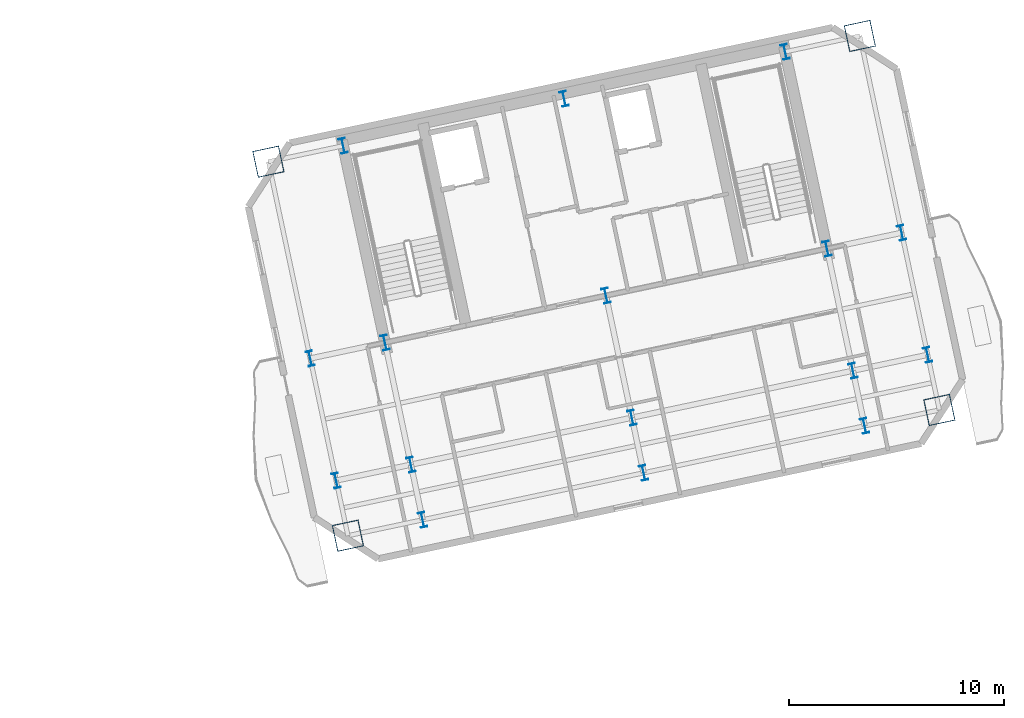
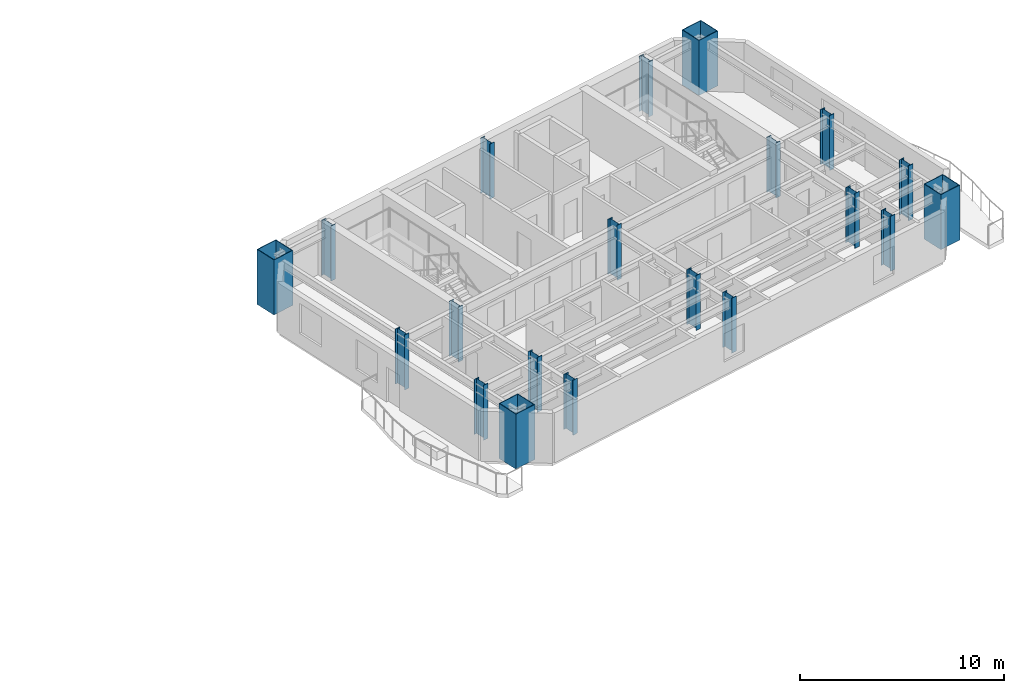
# One storey, part 2 of 13: 20 columns.
"""IFC4 building model written with IfcOpenShell, lengths in metres."""

from ifc_helpers import new_model, si_unit, direction, frame, origin, origin_2d, place, context, subcontext, project, spatial, hollow_rectangle, i_section, extrude, material, material_profile, profile_set, type_object, element, save


model = new_model("IFC4")

# Units and contexts
model_context = context("Model", 3, precision=1e-05, world=origin(), true_north=direction((0.0, 1.0)))
body_context = subcontext(model_context, "Body", "Model", "MODEL_VIEW")
ifc_project = project(units=[si_unit("LENGTHUNIT", "METRE"), si_unit("AREAUNIT", "SQUARE_METRE"), si_unit("VOLUMEUNIT", "CUBIC_METRE"), si_unit("PLANEANGLEUNIT", "RADIAN"), si_unit("MASSUNIT", "GRAM", prefix="KILO")], contexts=[model_context])

# Site, building, storey
site_placement = place(None, origin())
site = spatial("IfcSite", under=ifc_project, at=site_placement, CompositionType="ELEMENT")
building_placement = place(site_placement, origin())
building = spatial("IfcBuilding", under=site, at=building_placement, Name="Haevon Station Towers", CompositionType="ELEMENT")
storey_placement = place(building_placement, frame((0.0, 0.0, 189.0)))
storey = spatial("IfcBuildingStorey", under=building, at=storey_placement, Name="L52", CompositionType="ELEMENT", Elevation=189.0)

# Columns
ifc_material_1 = material(Name="Steel S460", Category="steel")
ifc_material_profile_1 = material_profile(ifc_material_1, hollow_rectangle(XDim=1.25, YDim=1.25, WallThickness=0.034912109375, at=origin_2d()), Name="BOX-1250x1250x35")
ifc_profile_set_1 = profile_set([ifc_material_profile_1], Name="Steel S460")
column_type_1 = type_object("IfcColumnType", Name="COL-MC4", PredefinedType="COLUMN", material=ifc_profile_set_1)
for number, where, z_axis, x_axis, name in (
    (1, (97.030517578125, 28.46826171875, 0.0), (0.0, 0.0, 1.0), (0.978147600734, 0.207911690818, 0.0), "COL-T2-L52-01-01"),
    (2, (93.3359375, 45.85009765625, 0.0), (0.0, 0.0, 1.0), (0.978147600734, 0.207911690818, 0.0), "COL-T2-L52-01-04"),
    (3, (124.5166015625, 34.310546875, 0.0), (0.0, 0.0, 1.0), (0.978147600734, 0.207911690818, 0.0), "COL-T2-L52-05-01"),
    (4, (120.822021484375, 51.6923828125, 0.0), (0.0, 0.0, 1.0), (0.978147600734, 0.207911690818, 0.0), "COL-T2-L52-05-04"),
):
    element("IfcColumn", number, at=place(storey_placement, frame(where, z_axis=z_axis, x_axis=x_axis)), inside=storey, type_object=column_type_1, Name=name, PredefinedType="COLUMN", context=body_context, shape_type="SweptSolid", body=[
        extrude(hollow_rectangle(XDim=1.25, YDim=1.25, WallThickness=0.034912109375, at=origin_2d()), origin(), (0.0, 0.0, 1.0), 3.300048828125),
    ])
ifc_material_2 = material(Name="Steel S355", Category="steel")
ifc_material_profile_2 = material_profile(ifc_material_2, i_section(OverallWidth=0.300048828125, OverallDepth=0.699951171875, WebThickness=0.01611328125, FlangeThickness=0.028076171875, at=origin_2d()), Name="H-700x300x16x28")
ifc_profile_set_2 = profile_set([ifc_material_profile_2], Name="Steel S355")
column_type_2 = type_object("IfcColumnType", Name="COL-TW3", PredefinedType="COLUMN", material=ifc_profile_set_2)
for number, where, z_axis, x_axis, name in (
    (5, (96.48583984375, 31.031005859375, 0.0), (0.0, 0.0, 1.0), (0.978147600734, 0.207911690818, 0.0), "COL-T2-L52-01-02"),
    (6, (95.280029296875, 36.704345703125, 0.0), (0.0, 0.0, 1.0), (0.978147600734, 0.207911690818, 0.0), "COL-T2-L52-01-03"),
    (7, (100.5029296875, 29.206298828125, 0.0), (0.0, 0.0, 1.0), (0.978147600734, 0.207911690818, 0.0), "COL-T2-L52-02-01"),
    (8, (99.958251953125, 31.76904296875, 0.0), (0.0, 0.0, 1.0), (0.978147600734, 0.207911690818, 0.0), "COL-T2-L52-02-02"),
    (9, (98.75244140625, 37.4423828125, 0.0), (0.0, 0.0, 1.0), (0.978147600734, 0.207911690818, 0.0), "COL-T2-L52-02-03"),
    (10, (96.808349609375, 46.588134765625, 0.0), (0.0, 0.0, 1.0), (0.978147600734, 0.207911690818, 0.0), "COL-T2-L52-02-04"),
    (11, (110.7734375, 31.389404296875, 0.0), (0.0, 0.0, 1.0), (0.978147600734, 0.207911690818, 0.0), "COL-T2-L52-03-01"),
    (12, (110.228759765625, 33.9521484375, 0.0), (0.0, 0.0, 1.0), (0.978147600734, 0.207911690818, 0.0), "COL-T2-L52-03-02"),
    (13, (109.02294921875, 39.62548828125, 0.0), (0.0, 0.0, 1.0), (0.978147600734, 0.207911690818, 0.0), "COL-T2-L52-03-03"),
    (14, (107.078857421875, 48.771240234375, 0.0), (0.0, 0.0, 1.0), (0.978147600734, 0.207911690818, 0.0), "COL-T2-L52-03-04"),
    (15, (121.0439453125, 33.572509765625, 0.0), (0.0, 0.0, 1.0), (0.978147600734, 0.207911690818, 0.0), "COL-T2-L52-04-01"),
    (16, (120.499267578125, 36.13525390625, 0.0), (0.0, 0.0, 1.0), (0.978147600734, 0.207911690818, 0.0), "COL-T2-L52-04-02"),
    (17, (119.29345703125, 41.80859375, 0.0), (0.0, 0.0, 1.0), (0.978147600734, 0.207911690818, 0.0), "COL-T2-L52-04-03"),
    (18, (117.349365234375, 50.954345703125, 0.0), (0.0, 0.0, 1.0), (0.978147600734, 0.207911690818, 0.0), "COL-T2-L52-04-04"),
    (19, (123.9716796875, 36.873291015625, 0.0), (0.0, 0.0, 1.0), (0.978147600734, 0.207911690818, 0.0), "COL-T2-L52-05-02"),
    (20, (122.765869140625, 42.546630859375, 0.0), (0.0, 0.0, 1.0), (0.978147600734, 0.207911690818, 0.0), "COL-T2-L52-05-03"),
):
    element("IfcColumn", number, at=place(storey_placement, frame(where, z_axis=z_axis, x_axis=x_axis)), inside=storey, type_object=column_type_2, Name=name, PredefinedType="COLUMN", context=body_context, shape_type="SweptSolid", body=[
        extrude(i_section(OverallWidth=0.300048828125, OverallDepth=0.699951171875, WebThickness=0.01611328125, FlangeThickness=0.028076171875, at=origin_2d()), origin(), (0.0, 0.0, 1.0), 3.300048828125),
    ])

save(model, "model.ifc")
